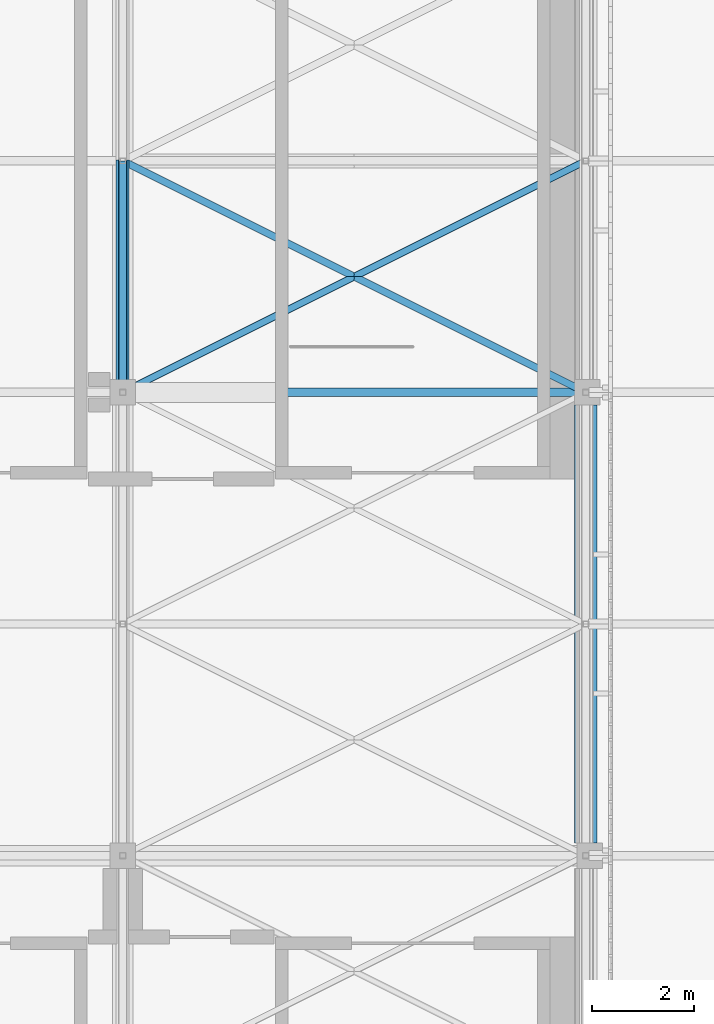
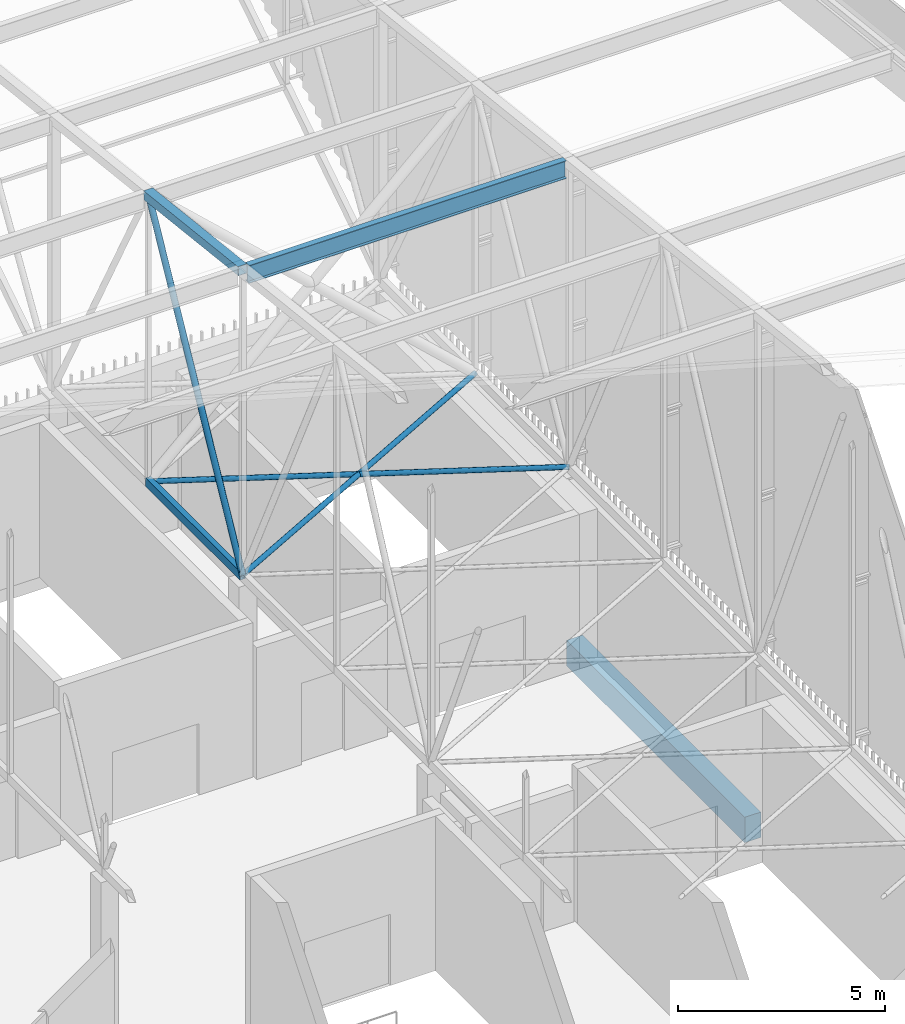
# One storey, part 399 of 500: 6 members, 1 beam.
"""IFC4 building model written with IfcOpenShell, lengths in metres."""

import ifcopenshell
import ifcopenshell.guid

model = None  # the IFC model being written
_history = None  # IfcOwnerHistory: only IFC2X3 demands one
_inside = {}  # id of a spatial element -> (the spatial element, [elements in it])
_under = {}  # id of a project, library or spatial element -> (it, [spatial elements below it])
_declared = {}  # id of a project -> (the project, [libraries it declares])
_typed = {}  # id of a type object -> (the type object, [elements of that type])
_made_of = {}  # id of a material, layer set ... -> (it, [elements and type objects made of it])


def new_model(schema):
    """Start an empty IFC model of exactly this schema.

    Asked for "IFC4X3", IfcOpenShell would pick the latest addendum, in which some entities
    have other attributes; the version numbers below select the first issue.
    IFC2X3 requires an IfcOwnerHistory on every rooted entity: one is made here for all.
    """
    global model, _history
    if schema == "IFC4X3":
        model = ifcopenshell.file(schema_version=(4, 3, 0, 0))
    else:
        model = ifcopenshell.file(schema=schema)
    _inside.clear()
    _under.clear()
    _declared.clear()
    _typed.clear()
    _made_of.clear()
    _history = None
    if model.schema == "IFC2X3":
        org = make("IfcOrganization", Name="unknown")
        user = make(
            "IfcPersonAndOrganization",
            ThePerson=make("IfcPerson", FamilyName="unknown"),
            TheOrganization=org,
        )
        app = make(
            "IfcApplication",
            ApplicationDeveloper=org,
            Version="unknown",
            ApplicationFullName="unknown",
            ApplicationIdentifier="unknown",
        )
        _history = make(
            "IfcOwnerHistory",
            OwningUser=user,
            OwningApplication=app,
            ChangeAction="ADDED",
            CreationDate=0,
        )
    return model


def make(cls, **values):
    """One entity of the class cls with the attributes given. An attribute that is None is left unset."""
    return model.create_entity(
        cls, **{name: value for name, value in values.items() if value is not None}
    )


def rooted(cls, **values):
    """An entity with a GlobalId (a new one), such as an element, a storey or a relation."""
    return make(cls, GlobalId=ifcopenshell.guid.new(), OwnerHistory=_history, **values)


def si_unit(unit_type, name, prefix=None):
    """IfcSIUnit, for example si_unit("LENGTHUNIT", "METRE", prefix="MILLI")."""
    return make("IfcSIUnit", UnitType=unit_type, Prefix=prefix, Name=name)


def assignment(units):
    """IfcUnitAssignment: the units of a project."""
    return None if units is None else make("IfcUnitAssignment", Units=units)


def point(xyz):
    """IfcCartesianPoint."""
    return None if xyz is None else make("IfcCartesianPoint", Coordinates=xyz)


def direction(xyz):
    """IfcDirection."""
    return None if xyz is None else make("IfcDirection", DirectionRatios=xyz)


def frame(location, z_axis=None, x_axis=None):
    """IfcAxis2Placement3D, a coordinate frame: its origin and axes. An axis left out is left unset."""
    return make(
        "IfcAxis2Placement3D",
        Location=point(location),
        Axis=direction(z_axis),
        RefDirection=direction(x_axis),
    )


def frame_2d(location, x_axis=None):
    """IfcAxis2Placement2D, a coordinate frame in the plane: its origin and x axis."""
    return make(
        "IfcAxis2Placement2D", Location=point(location), RefDirection=direction(x_axis)
    )


def origin():
    """The frame at (0, 0, 0) with its axes left unset."""
    return frame((0.0, 0.0, 0.0))


def origin_2d():
    """The frame at (0, 0) in the plane with its x axis left unset."""
    return frame_2d((0.0, 0.0))


def place(relative_to, where):
    """IfcLocalPlacement: puts the frame where relative to a parent placement (None: the world)."""
    return make(
        "IfcLocalPlacement", PlacementRelTo=relative_to, RelativePlacement=where
    )


def context(
    kind, dimensions, precision=None, world=None, true_north=None, identifier=None
):
    """IfcGeometricRepresentationContext, for example the 3D "Model" context."""
    return make(
        "IfcGeometricRepresentationContext",
        ContextIdentifier=identifier,
        ContextType=kind,
        CoordinateSpaceDimension=dimensions,
        Precision=precision,
        WorldCoordinateSystem=world,
        TrueNorth=true_north,
    )


def subcontext(parent, identifier, kind, view, scale=None):
    """IfcGeometricRepresentationSubContext, for example "Body" below "Model"."""
    return make(
        "IfcGeometricRepresentationSubContext",
        ContextIdentifier=identifier,
        ContextType=kind,
        ParentContext=parent,
        TargetScale=scale,
        TargetView=view,
    )


def project(units=None, contexts=None):
    """IfcProject with its units and contexts."""
    return rooted(
        "IfcProject",
        Name="project",
        RepresentationContexts=contexts,
        UnitsInContext=assignment(units),
    )


def spatial(cls, under=None, at=None, **own):
    """A site, building, storey or space (cls), placed at a placement, below another one or the project."""
    s = rooted(cls, ObjectPlacement=at, **own)
    if under is not None:
        _under.setdefault(under.id(), (under, []))[1].append(s)
    return s


def profile(cls, at=None, kind="AREA", **sizes):
    """A parametric profile (cls). Its sizes go by their IFC names, for example OverallWidth=200.0."""
    return make(cls, ProfileType=kind, Position=at, **sizes)


def rectangle(**sizes):
    """IfcRectangleProfileDef."""
    return profile("IfcRectangleProfileDef", **sizes)


def hollow_rectangle(**sizes):
    """IfcRectangleHollowProfileDef."""
    return profile("IfcRectangleHollowProfileDef", **sizes)


def hollow_circle(**sizes):
    """IfcCircleHollowProfileDef."""
    return profile("IfcCircleHollowProfileDef", **sizes)


def i_section(**sizes):
    """IfcIShapeProfileDef."""
    return profile("IfcIShapeProfileDef", **sizes)


def extrude(swept, where, along, depth):
    """IfcExtrudedAreaSolid: the profile swept, set in the frame where, extruded along a direction by depth."""
    return make(
        "IfcExtrudedAreaSolid",
        SweptArea=swept,
        Position=where,
        ExtrudedDirection=direction(along),
        Depth=depth,
    )


def shape(context_of_items, identifier, shape_type, items):
    """IfcShapeRepresentation: the items that make up one representation, for example the "Body"."""
    return make(
        "IfcShapeRepresentation",
        ContextOfItems=context_of_items,
        RepresentationIdentifier=identifier,
        RepresentationType=shape_type,
        Items=items,
    )


def material(Name=None, Category=None):
    """IfcMaterial."""
    return make("IfcMaterial", Name=Name, Category=Category)


def material_profile(
    of_material, cross_section, Name=None, Category=None, Priority=None
):
    """IfcMaterialProfile: a cross section and its material."""
    return make(
        "IfcMaterialProfile",
        Name=Name,
        Material=of_material,
        Profile=cross_section,
        Priority=Priority,
        Category=Category,
    )


def profile_set(profiles, Name=None, composite=None):
    """IfcMaterialProfileSet."""
    return make(
        "IfcMaterialProfileSet",
        Name=Name,
        MaterialProfiles=profiles,
        CompositeProfile=composite,
    )


def made_of(thing, what):
    """Note that an element or type object is made of a material, layer set ...; save() writes the relation."""
    if what is not None:
        _made_of.setdefault(what.id(), (what, []))[1].append(thing)
    return thing


def type_object(cls, material=None, **own):
    """A type object (cls), such as IfcWallType, which elements share."""
    return made_of(rooted(cls, **own), material)


def element(
    cls,
    number,
    at=None,
    inside=None,
    cuts=None,
    type_object=None,
    material=None,
    context=None,
    identifier="Body",
    shape_type=None,
    held_by="IfcProductDefinitionShape",
    body=None,
    shapes=None,
    **own,
):
    """One element of the class cls, such as IfcWall. Its Tag is "e" and its number.

    at: its placement. inside: the storey or other place that contains it. cuts: it is an
    opening in that element (IfcRelVoidsElement). A single representation is given by context,
    identifier, shape_type and body (its items); several are given by shapes. held_by: the class
    of the entity that holds the representations. save() writes the other relations.
    """
    e = rooted(cls, Tag="e%d" % number, ObjectPlacement=at, **own)
    if body is not None:
        shapes = [shape(context, identifier, shape_type, body)]
    if shapes is not None:
        e.Representation = make(held_by, Representations=shapes)
    if inside is not None:
        _inside.setdefault(inside.id(), (inside, []))[1].append(e)
    if cuts is not None:
        rooted(
            "IfcRelVoidsElement", RelatingBuildingElement=cuts, RelatedOpeningElement=e
        )
    if type_object is not None:
        _typed.setdefault(type_object.id(), (type_object, []))[1].append(e)
    return made_of(e, material)


def aggregate(whole, parts):
    """IfcRelAggregates: a whole, such as a stair, and the parts it consists of."""
    return rooted("IfcRelAggregates", RelatingObject=whole, RelatedObjects=parts)


def save(model, path):
    """Write the relations noted so far, then the file.

    IfcRelAggregates (storeys below a building ...), IfcRelContainedInSpatialStructure (elements
    in a storey), IfcRelDefinesByType, IfcRelAssociatesMaterial and IfcRelDeclares: one each for
    every whole, place, type object, material and project.
    """
    for whole, parts in _under.values():
        aggregate(whole, parts)
    for where, things in _inside.values():
        rooted(
            "IfcRelContainedInSpatialStructure",
            RelatedElements=things,
            RelatingStructure=where,
        )
    for kind, things in _typed.values():
        rooted("IfcRelDefinesByType", RelatedObjects=things, RelatingType=kind)
    for what, things in _made_of.values():
        rooted("IfcRelAssociatesMaterial", RelatedObjects=things, RelatingMaterial=what)
    for by, libraries in _declared.values():
        rooted("IfcRelDeclares", RelatingContext=by, RelatedDefinitions=libraries)
    model.write(path)


model = new_model("IFC4")

# Units and contexts
model_context = context("Model", 3, precision=1e-05, world=origin(), true_north=direction((0.0, 1.0)))
body_context = subcontext(model_context, "Body", "Model", "MODEL_VIEW")
ifc_project = project(units=[si_unit("LENGTHUNIT", "METRE"), si_unit("AREAUNIT", "SQUARE_METRE"), si_unit("VOLUMEUNIT", "CUBIC_METRE"), si_unit("PLANEANGLEUNIT", "RADIAN"), si_unit("MASSUNIT", "GRAM", prefix="KILO")], contexts=[model_context])

# Site, building, storey
site_placement = place(None, origin())
site = spatial("IfcSite", under=ifc_project, at=site_placement, CompositionType="ELEMENT")
building_placement = place(site_placement, origin())
building = spatial("IfcBuilding", under=site, at=building_placement, Name="Shirokan Park Arena", CompositionType="ELEMENT")
storey_placement = place(building_placement, frame((0.0, 0.0, 29.1201171875)))
storey = spatial("IfcBuildingStorey", under=building, at=storey_placement, Name="L06", CompositionType="ELEMENT", Elevation=29.1201171875)

# Members
ifc_material_1 = material(Name="Steel ASTM A500 Grade C", Category="steel")
ifc_material_profile_1 = material_profile(ifc_material_1, hollow_rectangle(XDim=0.152099609375, YDim=0.25390625, WallThickness=0.009521484375, at=origin_2d()), Name="HSS254X152.4X9.5")
ifc_profile_set_1 = profile_set([ifc_material_profile_1], Name="Steel ASTM A500 Grade C")
member_type_1 = type_object("IfcMemberType", Name="Bottom chord HSS254X152.4X9.5", PredefinedType="CHORD", material=ifc_profile_set_1)
member_1_placement = place(storey_placement, frame((136.5, 100.10009765625, 4.677001953125), z_axis=(0.0, 1.0, 0.0), x_axis=(-1.0, 0.0, 0.0)))
element("IfcMember", 1, at=member_1_placement, inside=storey, type_object=member_type_1, Name="Truss T16 bottom chord 25", PredefinedType="CHORD", context=body_context, shape_type="SweptSolid", body=[
    extrude(hollow_rectangle(XDim=0.152099609375, YDim=0.25390625, WallThickness=0.009521484375, at=origin_2d()), origin(), (0.0, 0.0, 1.0), 4.5498046875),
])
ifc_material_profile_2 = material_profile(ifc_material_1, hollow_circle(Radius=0.070556640625, WallThickness=0.009521484375, at=origin_2d()), Name="HSS141.3X9.5")
ifc_profile_set_2 = profile_set([ifc_material_profile_2], Name="Steel ASTM A500 Grade C")
member_type_2 = type_object("IfcMemberType", Name="Plan bracing HSS141.3X9.5", PredefinedType="BRACE", material=ifc_profile_set_2)
for number, where, z_axis, x_axis, name in (
    (2, (136.5, 100.10009765625, 4.677001953125), (0.8944367893, 0.447194398385, 0.0), (-0.447194398385, 0.8944367893, 0.0), "Plan bracing bay 16 panel 25 A"),
    (3, (145.60009765625, 100.10009765625, 4.677001953125), (-0.8944367893, 0.447194398385, 0.0), (-0.447194398385, -0.8944367893, 0.0), "Plan bracing bay 16 panel 25 B"),
):
    element("IfcMember", number, at=place(storey_placement, frame(where, z_axis=z_axis, x_axis=x_axis)), inside=storey, type_object=member_type_2, Name=name, PredefinedType="BRACE", context=body_context, shape_type="SweptSolid", body=[
        extrude(hollow_circle(Radius=0.070556640625, WallThickness=0.009521484375, at=origin_2d()), origin(), (0.0, 0.0, 1.0), 10.174072265625),
    ])
ifc_material_2 = material(Name="Steel ASTM A992", Category="steel")
ifc_material_profile_3 = material_profile(ifc_material_2, i_section(OverallWidth=0.166015625, OverallDepth=0.528076171875, WebThickness=0.009765625, FlangeThickness=0.013671875, at=origin_2d()), Name="W530X74")
ifc_profile_set_3 = profile_set([ifc_material_profile_3], Name="Steel ASTM A992")
member_type_3 = type_object("IfcMemberType", Name="Purlin W530X74", PredefinedType="PURLIN", material=ifc_profile_set_3)
member_2_placement = place(storey_placement, frame((136.626953125, 100.10009765625, 13.52587890625), z_axis=(1.0, 0.0, 0.0), x_axis=(0.0, 1.0, 0.0)))
element("IfcMember", 4, at=member_2_placement, inside=storey, type_object=member_type_3, Name="Purlin 25 bay 16", PredefinedType="PURLIN", context=body_context, shape_type="SweptSolid", body=[
    extrude(i_section(OverallWidth=0.166015625, OverallDepth=0.528076171875, WebThickness=0.009765625, FlangeThickness=0.013671875, at=origin_2d()), origin(), (0.0, 0.0, 1.0), 8.845947265625),
])

# Beam
ifc_material_3 = material(Name="Concrete C35", Category="concrete")
ifc_material_profile_4 = material_profile(ifc_material_3, rectangle(XDim=0.449951171875, YDim=0.75, at=origin_2d()), Name="450x750")
ifc_profile_set_4 = profile_set([ifc_material_profile_4], Name="Concrete C35")
beam_type = type_object("IfcBeamType", Name="RC girder 450x750", PredefinedType="BEAM", material=ifc_profile_set_4)
beam_placement = place(storey_placement, frame((145.60009765625, 91.25, -0.5751953125), z_axis=(0.0, 1.0, 0.0), x_axis=(-1.0, 0.0, 0.0)))
element("IfcBeam", 5, at=beam_placement, inside=storey, type_object=beam_type, Name="Girder 17L-17M L06", PredefinedType="BEAM", context=body_context, shape_type="SweptSolid", body=[
    extrude(rectangle(XDim=0.449951171875, YDim=0.75, at=origin_2d()), origin(), (0.0, 0.0, 1.0), 8.599853515625),
])

# Members
ifc_material_profile_5 = material_profile(ifc_material_1, hollow_rectangle(XDim=0.25390625, YDim=0.25390625, WallThickness=0.009521484375, at=origin_2d()), Name="HSS254X254X9.5")
ifc_profile_set_5 = profile_set([ifc_material_profile_5], Name="Steel ASTM A500 Grade C")
member_type_4 = type_object("IfcMemberType", Name="Top chord HSS254X254X9.5", PredefinedType="CHORD", material=ifc_profile_set_5)
member_3_placement = place(storey_placement, frame((136.5, 100.10009765625, 13.662841796875), z_axis=(0.0, 0.993531641592, -0.11355561261), x_axis=(-1.0, 0.0, 0.0)))
element("IfcMember", 6, at=member_3_placement, inside=storey, type_object=member_type_4, Name="Truss T16 top chord 25", PredefinedType="CHORD", context=body_context, shape_type="SweptSolid", body=[
    extrude(hollow_rectangle(XDim=0.25390625, YDim=0.25390625, WallThickness=0.009521484375, at=origin_2d()), origin(), (0.0, 0.0, 1.0), 4.579345703125),
])
ifc_material_profile_6 = material_profile(ifc_material_1, hollow_circle(Radius=0.083984375, WallThickness=0.009521484375, at=origin_2d()), Name="HSS168.3X9.5")
ifc_profile_set_6 = profile_set([ifc_material_profile_6], Name="Steel ASTM A500 Grade C")
member_type_5 = type_object("IfcMemberType", Name="Truss diagonal HSS168.3X9.5", PredefinedType="BRACE", material=ifc_profile_set_6)
member_4_placement = place(storey_placement, frame((136.5, 100.10009765625, 4.677001953125), z_axis=(0.0, 0.47339679801, 0.880849289966), x_axis=(-1.0, 0.0, 0.0)))
element("IfcMember", 7, at=member_4_placement, inside=storey, type_object=member_type_5, Name="Truss T16 diagonal 25", PredefinedType="BRACE", context=body_context, shape_type="SweptSolid", body=[
    extrude(hollow_circle(Radius=0.083984375, WallThickness=0.009521484375, at=origin_2d()), origin(), (0.0, 0.0, 1.0), 9.611083984375),
])

save(model, "model.ifc")
